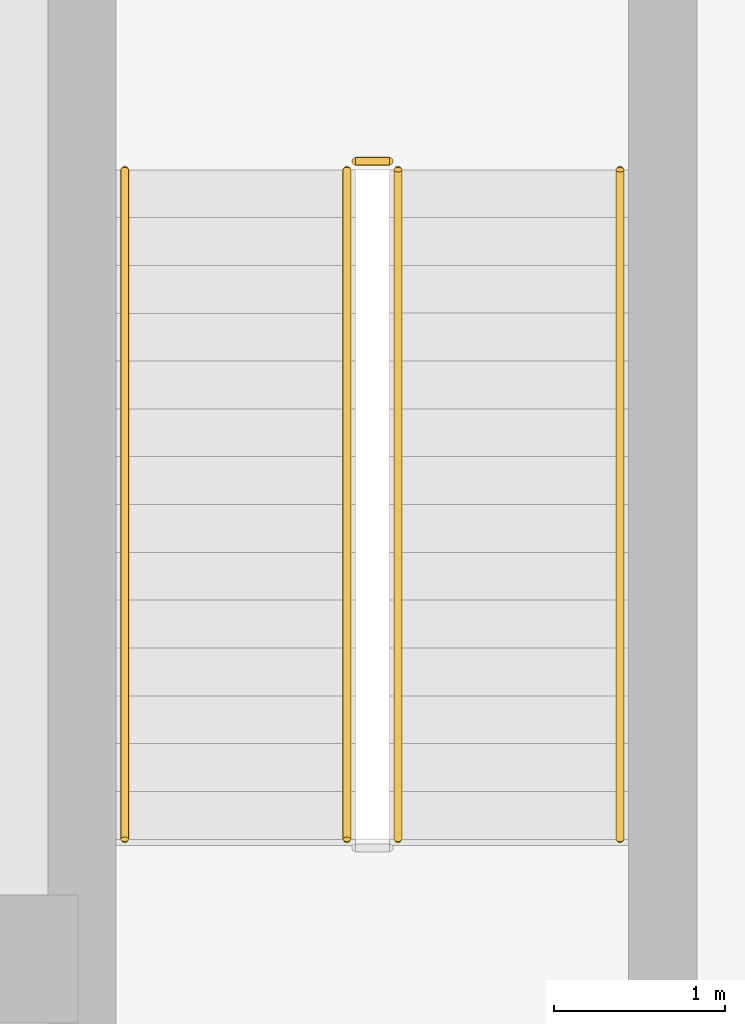
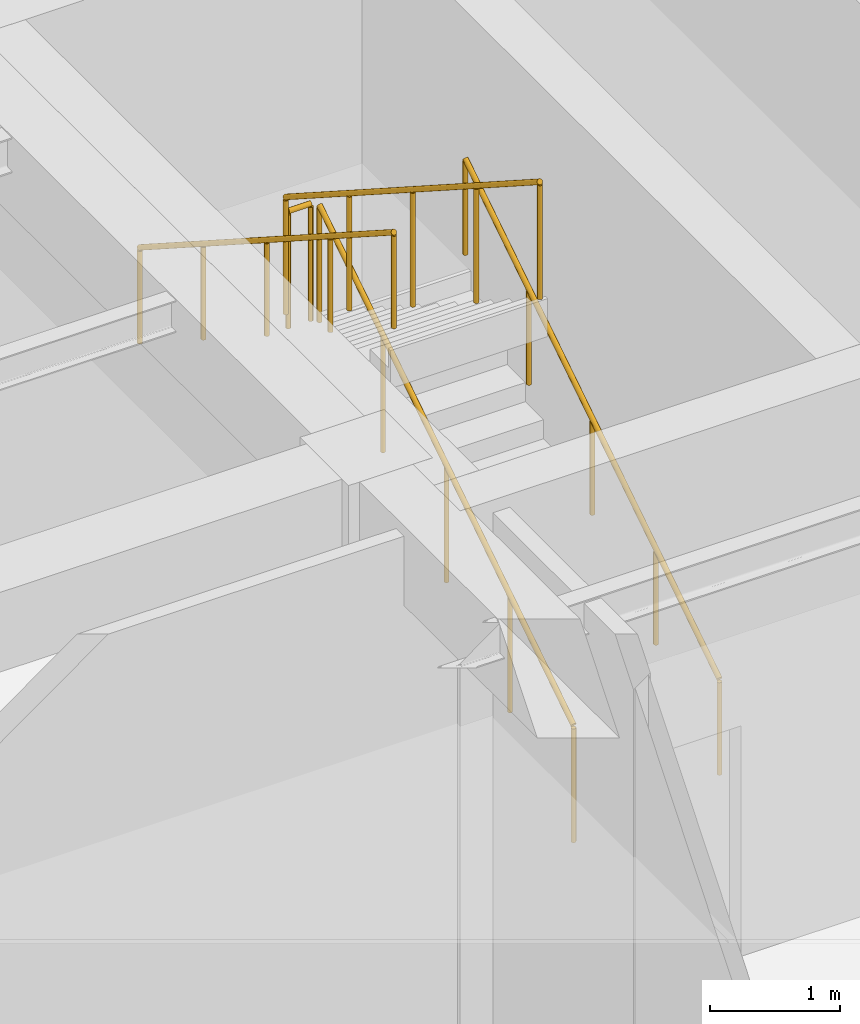
# One storey, part 62 of 64: 5 railings.
"""IFC4 building model written with IfcOpenShell, lengths in metres."""

from ifc_helpers import new_model, si_unit, direction, frame, origin, origin_2d, place, context, subcontext, project, spatial, circle, extrude, material, type_object, element, save


model = new_model("IFC4")

# Units and contexts
model_context = context("Model", 3, precision=1e-05, world=origin(), true_north=direction((0.0, 1.0)))
body_context = subcontext(model_context, "Body", "Model", "MODEL_VIEW")
ifc_project = project(units=[si_unit("LENGTHUNIT", "METRE"), si_unit("AREAUNIT", "SQUARE_METRE"), si_unit("VOLUMEUNIT", "CUBIC_METRE"), si_unit("PLANEANGLEUNIT", "RADIAN"), si_unit("MASSUNIT", "GRAM", prefix="KILO")], contexts=[model_context])

# Site, building, storey
site_placement = place(None, origin())
site = spatial("IfcSite", under=ifc_project, at=site_placement, CompositionType="ELEMENT")
building_placement = place(site_placement, origin())
building = spatial("IfcBuilding", under=site, at=building_placement, Name="Qandaris Square Conservatory and Botanical Centre", CompositionType="ELEMENT")
storey_placement = place(building_placement, origin())
storey = spatial("IfcBuildingStorey", under=building, at=storey_placement, Name="L00", CompositionType="ELEMENT", Elevation=0.0)

# Railings
ifc_material = material(Name="Stainless Steel", Category="steel")
railing_type_1 = type_object("IfcRailingType", Name="Stair Tubular Handrail 920mm", PredefinedType="HANDRAIL", material=ifc_material)
railing_1_placement = place(storey_placement, frame((150.949951171875, 70.5, 0.360107421875)))
element("IfcRailing", 1, at=railing_1_placement, inside=storey, type_object=railing_type_1, Name="L00 ST-3 stair handrail 1", PredefinedType="HANDRAIL", context=body_context, shape_type="SweptSolid", body=[
    extrude(circle(Radius=0.02392578125, at=origin_2d()), frame((0.0, 0.0, 0.89599609375), z_axis=(0.0, 0.84119549742, 0.540731111663), x_axis=(-1.0, 0.0, 0.0)), (0.0, 0.0, 1.0), 4.659912109375),
    extrude(circle(Radius=0.02099609375, at=origin_2d()), origin(), (0.0, 0.0, 1.0), 0.871826171875),
    extrude(circle(Radius=0.02099609375, at=origin_2d()), frame((0.0, 0.97998046875, 0.6298828125)), (0.0, 0.0, 1.0), 0.871826171875),
    extrude(circle(Radius=0.02099609375, at=origin_2d()), frame((0.0, 1.9599609375, 1.259765625)), (0.0, 0.0, 1.0), 0.871826171875),
    extrude(circle(Radius=0.02099609375, at=origin_2d()), frame((0.0, 2.93994140625, 1.889892578125)), (0.0, 0.0, 1.0), 0.871826171875),
    extrude(circle(Radius=0.02099609375, at=origin_2d()), frame((0.0, 3.919921875, 2.519775390625)), (0.0, 0.0, 1.0), 0.871826171875),
])
railing_2_placement = place(storey_placement, frame((148.050048828125, 74.419921875, 3.06005859375)))
element("IfcRailing", 2, at=railing_2_placement, inside=storey, type_object=railing_type_1, Name="L00 ST-3 stair handrail 2", PredefinedType="HANDRAIL", context=body_context, shape_type="SweptSolid", body=[
    extrude(circle(Radius=0.02392578125, at=origin_2d()), frame((0.0, 0.0, 0.89599609375), z_axis=(0.0, -0.841171666519, 0.540768182723), x_axis=(1.0, 0.0, 0.0)), (0.0, 0.0, 1.0), 4.66015625),
    extrude(circle(Radius=0.02099609375, at=origin_2d()), origin(), (0.0, 0.0, 1.0), 0.871826171875),
    extrude(circle(Radius=0.02099609375, at=origin_2d()), frame((0.0, -0.97998046875, 0.6298828125)), (0.0, 0.0, 1.0), 0.871826171875),
    extrude(circle(Radius=0.02099609375, at=origin_2d()), frame((0.0, -1.9599609375, 1.260009765625)), (0.0, 0.0, 1.0), 0.871826171875),
    extrude(circle(Radius=0.02099609375, at=origin_2d()), frame((0.0, -2.93994140625, 1.89013671875)), (0.0, 0.0, 1.0), 0.871826171875),
    extrude(circle(Radius=0.02099609375, at=origin_2d()), frame((0.0, -3.919921875, 2.52001953125)), (0.0, 0.0, 1.0), 0.871826171875),
])
railing_type_2 = type_object("IfcRailingType", Name="Stairwell & Atrium Guardrail 1120mm", PredefinedType="GUARDRAIL", material=ifc_material)
railing_3_placement = place(storey_placement, frame((149.64990234375, 70.5, 0.179931640625)))
element("IfcRailing", 3, at=railing_3_placement, inside=storey, type_object=railing_type_2, Name="L00 ST-3 stair guard 1", PredefinedType="GUARDRAIL", context=body_context, shape_type="SweptSolid", body=[
    extrude(circle(Radius=0.02392578125, at=origin_2d()), frame((0.0, 0.0, 1.09619140625), z_axis=(0.0, 0.841171666519, 0.540768182723), x_axis=(-1.0, 0.0, 0.0)), (0.0, 0.0, 1.0), 4.66015625),
    extrude(circle(Radius=0.02099609375, at=origin_2d()), origin(), (0.0, 0.0, 1.0), 1.072021484375),
    extrude(circle(Radius=0.02099609375, at=origin_2d()), frame((0.0, 0.97998046875, 0.6298828125)), (0.0, 0.0, 1.0), 1.072021484375),
    extrude(circle(Radius=0.02099609375, at=origin_2d()), frame((0.0, 1.9599609375, 1.260009765625)), (0.0, 0.0, 1.0), 1.072021484375),
    extrude(circle(Radius=0.02099609375, at=origin_2d()), frame((0.0, 2.93994140625, 1.89013671875)), (0.0, 0.0, 1.0), 1.072021484375),
    extrude(circle(Radius=0.02099609375, at=origin_2d()), frame((0.0, 3.919921875, 2.52001953125)), (0.0, 0.0, 1.0), 1.072021484375),
])
railing_4_placement = place(storey_placement, frame((149.60009765625, 74.469970703125, 2.699951171875)))
element("IfcRailing", 4, at=railing_4_placement, inside=storey, type_object=railing_type_2, Name="L00 ST-3 stair guard 2", PredefinedType="GUARDRAIL", context=body_context, shape_type="SweptSolid", body=[
    extrude(circle(Radius=0.02392578125, at=origin_2d()), frame((0.0, 0.0, 1.09619140625), z_axis=(-1.0, 0.0, 0.0), x_axis=(0.0, -1.0, 0.0)), (0.0, 0.0, 1.0), 0.2001953125),
    extrude(circle(Radius=0.02099609375, at=origin_2d()), origin(), (0.0, 0.0, 1.0), 1.072021484375),
    extrude(circle(Radius=0.02099609375, at=origin_2d()), frame((-0.2001953125, 0.0, 0.0)), (0.0, 0.0, 1.0), 1.072021484375),
])
railing_5_placement = place(storey_placement, frame((149.35009765625, 74.419921875, 2.8798828125)))
element("IfcRailing", 5, at=railing_5_placement, inside=storey, type_object=railing_type_2, Name="L00 ST-3 stair guard 3", PredefinedType="GUARDRAIL", context=body_context, shape_type="SweptSolid", body=[
    extrude(circle(Radius=0.02392578125, at=origin_2d()), frame((0.0, 0.0, 1.09619140625), z_axis=(0.0, -0.841171666519, 0.540768182723), x_axis=(1.0, 0.0, 0.0)), (0.0, 0.0, 1.0), 4.66015625),
    extrude(circle(Radius=0.02099609375, at=origin_2d()), origin(), (0.0, 0.0, 1.0), 1.072021484375),
    extrude(circle(Radius=0.02099609375, at=origin_2d()), frame((0.0, -0.97998046875, 0.6298828125)), (0.0, 0.0, 1.0), 1.072021484375),
    extrude(circle(Radius=0.02099609375, at=origin_2d()), frame((0.0, -1.9599609375, 1.260009765625)), (0.0, 0.0, 1.0), 1.072021484375),
    extrude(circle(Radius=0.02099609375, at=origin_2d()), frame((0.0, -2.93994140625, 1.89013671875)), (0.0, 0.0, 1.0), 1.072021484375),
    extrude(circle(Radius=0.02099609375, at=origin_2d()), frame((0.0, -3.919921875, 2.52001953125)), (0.0, 0.0, 1.0), 1.072021484375),
])

save(model, "model.ifc")
